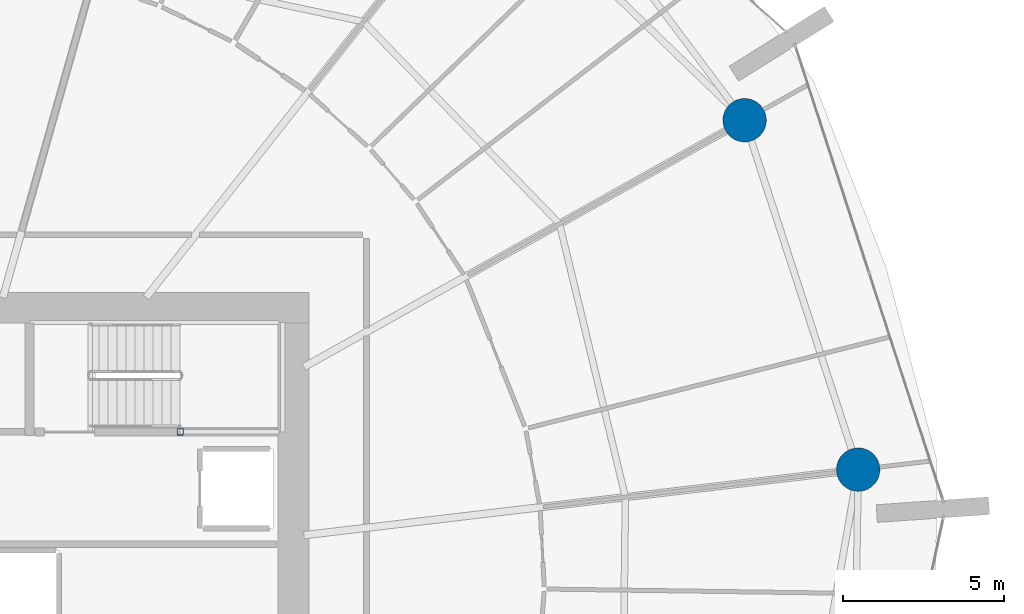
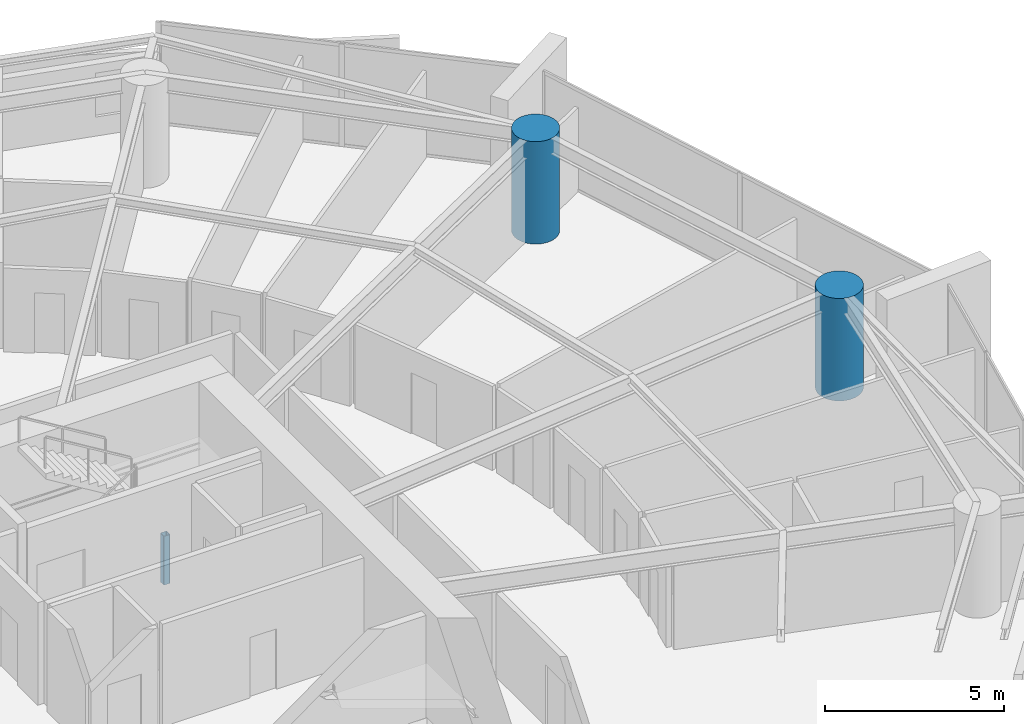
# One storey, part 5 of 31: 3 columns.
"""IFC4 building model written with IfcOpenShell, lengths in metres."""

from ifc_helpers import new_model, si_unit, direction, frame, origin, origin_2d, place, context, subcontext, project, spatial, hollow_rectangle, circle, extrude, material, material_profile, profile_set, type_object, element, save


model = new_model("IFC4")

# Units and contexts
model_context = context("Model", 3, precision=1e-05, world=origin(), true_north=direction((0.0, 1.0)))
body_context = subcontext(model_context, "Body", "Model", "MODEL_VIEW")
ifc_project = project(units=[si_unit("LENGTHUNIT", "METRE"), si_unit("AREAUNIT", "SQUARE_METRE"), si_unit("VOLUMEUNIT", "CUBIC_METRE"), si_unit("PLANEANGLEUNIT", "RADIAN"), si_unit("MASSUNIT", "GRAM", prefix="KILO")], contexts=[model_context])

# Site, building, storey
site_placement = place(None, origin())
site = spatial("IfcSite", under=ifc_project, at=site_placement, CompositionType="ELEMENT")
building_placement = place(site_placement, origin())
building = spatial("IfcBuilding", under=site, at=building_placement, Name="Kazma Halo Residences", CompositionType="ELEMENT")
storey_placement = place(building_placement, frame((0.0, 0.0, 48.89990234375)))
storey = spatial("IfcBuildingStorey", under=building, at=storey_placement, Name="L11", CompositionType="ELEMENT", Elevation=48.89990234375)

# Columns
ifc_material_1 = material(Name="Steel S355", Category="steel")
ifc_material_profile_1 = material_profile(ifc_material_1, hollow_rectangle(XDim=0.199951171875, YDim=0.199951171875, WallThickness=0.010009765625, InnerFilletRadius=0.010009765625, OuterFilletRadius=0.02001953125, at=origin_2d()), Name="SHS200x200x10")
ifc_profile_set_1 = profile_set([ifc_material_profile_1], Name="Steel S355")
column_type_1 = type_object("IfcColumnType", Name="COL-LP-SHS200", PredefinedType="COLUMN", material=ifc_profile_set_1)
column_placement = place(storey_placement, frame((56.0, 46.6201171875, 0.0), z_axis=(0.0, 0.0, 1.0), x_axis=(1.0, 0.0, 0.0)))
element("IfcColumn", 1, at=column_placement, inside=storey, type_object=column_type_1, Name="L11 ST-02 landing pilaster 1", PredefinedType="COLUMN", context=body_context, shape_type="SweptSolid", body=[
    extrude(hollow_rectangle(XDim=0.199951171875, YDim=0.199951171875, WallThickness=0.010009765625, InnerFilletRadius=0.010009765625, OuterFilletRadius=0.02001953125, at=origin_2d()), origin(), (0.0, 0.0, 1.0), 1.670166015625),
])
ifc_material_2 = material(Name="Concrete C80/95", Category="concrete")
ifc_material_profile_2 = material_profile(ifc_material_2, circle(Radius=0.675048828125, at=origin_2d()), Name="CIRC1350")
ifc_profile_set_2 = profile_set([ifc_material_profile_2], Name="Concrete C80/95")
column_type_2 = type_object("IfcColumnType", Name="COL-PERIM-1350", PredefinedType="COLUMN", material=ifc_profile_set_2)
for number, where, z_axis, x_axis, name in (
    (2, (73.56494140625, 56.317138671875, 0.0), (0.0, 0.0, 1.0), (1.0, 0.0, 0.0), "L11 perimeter ring column P01"),
    (3, (77.097900390625, 45.444091796875, 0.0), (0.0, 0.0, 1.0), (1.0, 0.0, 0.0), "L11 perimeter ring column P16"),
):
    element("IfcColumn", number, at=place(storey_placement, frame(where, z_axis=z_axis, x_axis=x_axis)), inside=storey, type_object=column_type_2, Name=name, PredefinedType="COLUMN", context=body_context, shape_type="SweptSolid", body=[
        extrude(circle(Radius=0.675048828125, at=origin_2d()), origin(), (0.0, 0.0, 1.0), 3.5),
    ])

save(model, "model.ifc")
